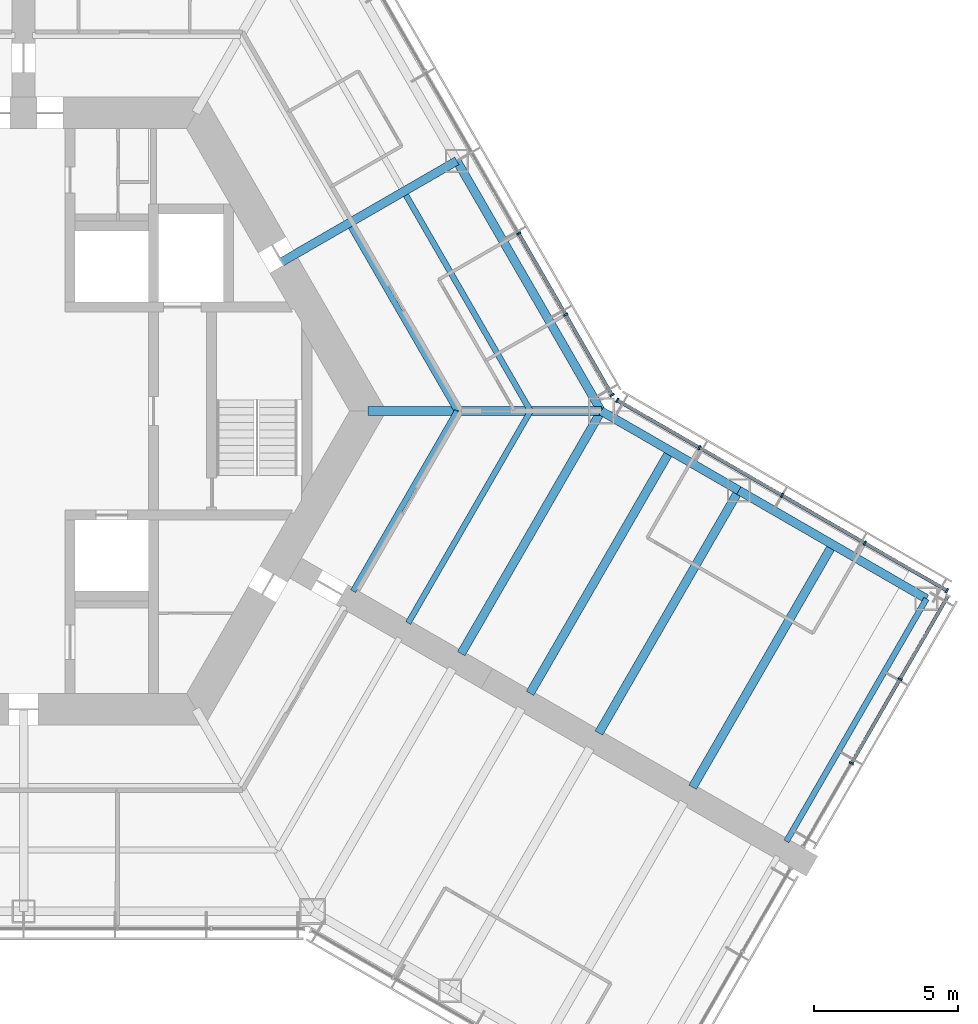
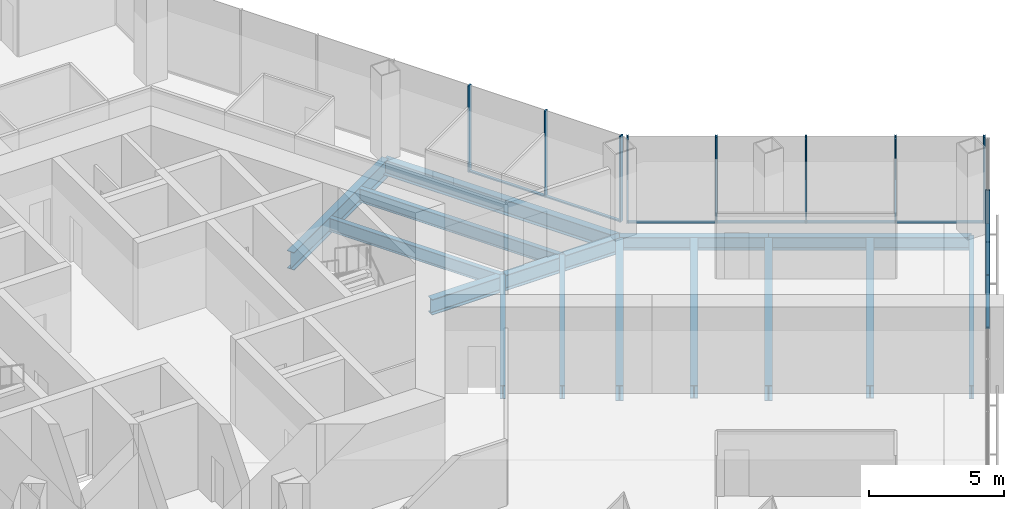
# One storey, part 6 of 18: 18 members, 14 beams, 3 elements without a shape of their own.
"""IFC4 building model written with IfcOpenShell, lengths in metres."""

from ifc_helpers import new_model, si_unit, direction, frame, origin, origin_2d, place, context, subcontext, project, spatial, rectangle, i_section, extrude, material, material_profile, profile_set, type_object, element, aggregate, save


model = new_model("IFC4")

# Units and contexts
model_context = context("Model", 3, precision=1e-05, world=origin(), true_north=direction((0.0, 1.0)))
body_context = subcontext(model_context, "Body", "Model", "MODEL_VIEW")
ifc_project = project(units=[si_unit("LENGTHUNIT", "METRE"), si_unit("AREAUNIT", "SQUARE_METRE"), si_unit("VOLUMEUNIT", "CUBIC_METRE"), si_unit("PLANEANGLEUNIT", "RADIAN"), si_unit("MASSUNIT", "GRAM", prefix="KILO")], contexts=[model_context])

# Site, building, storey
site_placement = place(None, origin())
site = spatial("IfcSite", under=ifc_project, at=site_placement, CompositionType="ELEMENT")
building_placement = place(site_placement, origin())
building = spatial("IfcBuilding", under=site, at=building_placement, Name="Kasaneha Research Tower", CompositionType="ELEMENT")
storey_placement = place(building_placement, frame((0.0, 0.0, 69.0)))
storey = spatial("IfcBuildingStorey", under=building, at=storey_placement, Name="L17", CompositionType="ELEMENT", Elevation=69.0)

# Beams
ifc_material_1 = material(Name="Steel SN490B", Category="steel")
ifc_material_profile_1 = material_profile(ifc_material_1, i_section(OverallWidth=0.199951171875, OverallDepth=0.60009765625, WebThickness=0.010986328125, FlangeThickness=0.01708984375, FilletRadius=0.012939453125, at=origin_2d()), Name="H-600x200x11x17")
ifc_profile_set_1 = profile_set([ifc_material_profile_1], Name="Steel SN490B")
beam_type_1 = type_object("IfcBeamType", Name="B1-3 secondary beam H-600x200x11x17", PredefinedType="JOIST", material=ifc_profile_set_1)
beam_1_placement = place(storey_placement, frame((15.010986328125, 0.0, -0.449951171875), z_axis=(-0.499994443168, 0.866028611999, 0.0), x_axis=(-0.866028611999, -0.499994443168, 0.0)))
element("IfcBeam", 1, at=beam_1_placement, inside=storey, type_object=beam_type_1, Name="Secondary beam RS030L1 L17", PredefinedType="JOIST", context=body_context, shape_type="SweptSolid", body=[
    extrude(i_section(OverallWidth=0.199951171875, OverallDepth=0.60009765625, WebThickness=0.010986328125, FlangeThickness=0.01708984375, FilletRadius=0.012939453125, at=origin_2d()), origin(), (0.0, 0.0, 1.0), 7.35546875),
])
beam_2_placement = place(storey_placement, frame((17.551513671875, 0.0, -0.449951171875), z_axis=(-0.5000050195, 0.866022505755, 0.0), x_axis=(-0.866022505755, -0.5000050195, 0.0)))
element("IfcBeam", 2, at=beam_2_placement, inside=storey, type_object=beam_type_1, Name="Secondary beam RS030L2 L17", PredefinedType="JOIST", context=body_context, shape_type="SweptSolid", body=[
    extrude(i_section(OverallWidth=0.199951171875, OverallDepth=0.60009765625, WebThickness=0.010986328125, FlangeThickness=0.01708984375, FilletRadius=0.012939453125, at=origin_2d()), origin(), (0.0, 0.0, 1.0), 8.6259765625),
])
beam_3_placement = place(storey_placement, frame((15.010986328125, 0.0, -0.449951171875), z_axis=(-0.499972735707, -0.866041144259, 0.0), x_axis=(0.866041144259, -0.499972735707, 0.0)))
element("IfcBeam", 3, at=beam_3_placement, inside=storey, type_object=beam_type_1, Name="Secondary beam RS330R1 L17", PredefinedType="JOIST", context=body_context, shape_type="SweptSolid", body=[
    extrude(i_section(OverallWidth=0.199951171875, OverallDepth=0.60009765625, WebThickness=0.010986328125, FlangeThickness=0.01708984375, FilletRadius=0.012939453125, at=origin_2d()), origin(), (0.0, 0.0, 1.0), 7.20556640625),
])
beam_4_placement = place(storey_placement, frame((17.551513671875, 0.0, -0.449951171875), z_axis=(-0.500020829043, -0.866013377797, 0.0), x_axis=(0.866013377797, -0.500020829043, 0.0)))
element("IfcBeam", 4, at=beam_4_placement, inside=storey, type_object=beam_type_1, Name="Secondary beam RS330R2 L17", PredefinedType="JOIST", context=body_context, shape_type="SweptSolid", body=[
    extrude(i_section(OverallWidth=0.199951171875, OverallDepth=0.60009765625, WebThickness=0.010986328125, FlangeThickness=0.01708984375, FilletRadius=0.012939453125, at=origin_2d()), origin(), (0.0, 0.0, 1.0), 8.475830078125),
])
ifc_material_2 = material(Name="Steel SN490B", Category="steel")
ifc_material_profile_2 = material_profile(ifc_material_2, i_section(OverallWidth=0.300048828125, OverallDepth=0.58203125, WebThickness=0.011962890625, FlangeThickness=0.01708984375, FilletRadius=0.012939453125, at=origin_2d()), Name="H-582x300x12x17")
ifc_profile_set_2 = profile_set([ifc_material_profile_2], Name="Steel SN490B")
beam_type_2 = type_object("IfcBeamType", Name="B2-3 secondary beam H-582x300x12x17", PredefinedType="JOIST", material=ifc_profile_set_2)
for number, where, z_axis, x_axis, name in (
    (5, (22.381591796875, -1.375, -0.44091796875), (-0.500010041276, -0.866019606374, 0.0), (0.866019606374, -0.500010041276, 0.0), "Secondary beam WBCN1 L17"),
    (6, (28.0107421875, -4.625, -0.44091796875), (-0.500010041276, -0.866019606374, 0.0), (0.866019606374, -0.500010041276, 0.0), "Secondary beam WBCN2 L17"),
):
    element("IfcBeam", number, at=place(storey_placement, frame(where, z_axis=z_axis, x_axis=x_axis)), inside=storey, type_object=beam_type_2, Name=name, PredefinedType="JOIST", context=body_context, shape_type="SweptSolid", body=[
        extrude(i_section(OverallWidth=0.300048828125, OverallDepth=0.58203125, WebThickness=0.011962890625, FlangeThickness=0.01708984375, FilletRadius=0.012939453125, at=origin_2d()), origin(), (0.0, 0.0, 1.0), 9.699951171875),
    ])

# Curtain wall, members
ifc_material_3 = material(Name="Glass and aluminium", Category="aluminium")
curtain_wall_type = type_object("IfcCurtainWallType", Name="Low-rise office curtain wall", PredefinedType="USERDEFINED", material=ifc_material_3)
curtain_wall_1_placement = place(storey_placement, origin())
curtain_wall_1 = element("IfcCurtainWall", 7, at=curtain_wall_1_placement, inside=storey, type_object=curtain_wall_type, Name="CW-O1 L17 run 05a", ObjectType="UNITISED CURTAIN WALL", PredefinedType="USERDEFINED")
ifc_material_4 = material(Name="Aluminium 6063-T6", Category="aluminium")
ifc_material_profile_3 = material_profile(ifc_material_4, rectangle(XDim=0.06005859375, YDim=0.159912109375, at=origin_2d()), Name="CW-O1 mullion 60x160")
ifc_profile_set_3 = profile_set([ifc_material_profile_3], Name="Aluminium 6063-T6")
member_type_1 = type_object("IfcMemberType", Name="CW-O1 mullion", PredefinedType="MULLION", material=ifc_profile_set_3)
member_1_placement = place(storey_placement, frame((28.661376953125, -12.1982421875, 0.0), z_axis=(0.0, 0.0, 1.0), x_axis=(0.500000011442, 0.866025397178, 0.0)))
member_1 = element("IfcMember", 8, at=member_1_placement, type_object=member_type_1, Name="CW-O1 mullion 2", PredefinedType="MULLION", context=body_context, shape_type="SweptSolid", body=[
    extrude(rectangle(XDim=0.06005859375, YDim=0.159912109375, at=origin_2d()), origin(), (0.0, 0.0, 1.0), 3.89990234375),
])
member_2_placement = place(storey_placement, frame((30.3447265625, -9.28271484375, 0.0), z_axis=(0.0, 0.0, 1.0), x_axis=(0.500000011442, 0.866025397178, 0.0)))
member_2 = element("IfcMember", 9, at=member_2_placement, type_object=member_type_1, Name="CW-O1 mullion 3", PredefinedType="MULLION", context=body_context, shape_type="SweptSolid", body=[
    extrude(rectangle(XDim=0.06005859375, YDim=0.159912109375, at=origin_2d()), origin(), (0.0, 0.0, 1.0), 3.89990234375),
])

curtain_wall_2_placement = place(storey_placement, origin())
curtain_wall_2 = element("IfcCurtainWall", 10, at=curtain_wall_2_placement, inside=storey, type_object=curtain_wall_type, Name="CW-O1 L17 run 06a", ObjectType="UNITISED CURTAIN WALL", PredefinedType="USERDEFINED")
member_3_placement = place(storey_placement, frame((31.96533203125, -6.21533203125, 0.0), z_axis=(0.0, 0.0, 1.0), x_axis=(-0.866025411464, 0.499999986699, 0.0)))
member_3 = element("IfcMember", 11, at=member_3_placement, type_object=member_type_1, Name="CW-O1 mullion 1", PredefinedType="MULLION", context=body_context, shape_type="SweptSolid", body=[
    extrude(rectangle(XDim=0.06005859375, YDim=0.159912109375, at=origin_2d()), origin(), (0.0, 0.0, 1.0), 3.89990234375),
])
member_4_placement = place(storey_placement, frame((29.125, -4.575439453125, 0.0), z_axis=(0.0, 0.0, 1.0), x_axis=(-0.866025411464, 0.499999986699, 0.0)))
member_4 = element("IfcMember", 12, at=member_4_placement, type_object=member_type_1, Name="CW-O1 mullion 2", PredefinedType="MULLION", context=body_context, shape_type="SweptSolid", body=[
    extrude(rectangle(XDim=0.06005859375, YDim=0.159912109375, at=origin_2d()), origin(), (0.0, 0.0, 1.0), 3.89990234375),
])
member_5_placement = place(storey_placement, frame((26.258544921875, -2.920654296875, 0.0), z_axis=(0.0, 0.0, 1.0), x_axis=(-0.866025411464, 0.499999986699, 0.0)))
member_5 = element("IfcMember", 13, at=member_5_placement, type_object=member_type_1, Name="CW-O1 mullion 3", PredefinedType="MULLION", context=body_context, shape_type="SweptSolid", body=[
    extrude(rectangle(XDim=0.06005859375, YDim=0.159912109375, at=origin_2d()), origin(), (0.0, 0.0, 1.0), 3.89990234375),
])
member_6_placement = place(storey_placement, frame((23.39208984375, -1.265625, 0.0), z_axis=(0.0, 0.0, 1.0), x_axis=(-0.866025411464, 0.499999986699, 0.0)))
member_6 = element("IfcMember", 14, at=member_6_placement, type_object=member_type_1, Name="CW-O1 mullion 4", PredefinedType="MULLION", context=body_context, shape_type="SweptSolid", body=[
    extrude(rectangle(XDim=0.06005859375, YDim=0.159912109375, at=origin_2d()), origin(), (0.0, 0.0, 1.0), 3.89990234375),
])
member_7_placement = place(storey_placement, frame((20.5517578125, 0.374267578125, 0.0), z_axis=(0.0, 0.0, 1.0), x_axis=(-0.866025411464, 0.499999986699, 0.0)))
member_7 = element("IfcMember", 15, at=member_7_placement, type_object=member_type_1, Name="CW-O1 mullion 5", PredefinedType="MULLION", context=body_context, shape_type="SweptSolid", body=[
    extrude(rectangle(XDim=0.06005859375, YDim=0.159912109375, at=origin_2d()), origin(), (0.0, 0.0, 1.0), 3.89990234375),
])

curtain_wall_3_placement = place(storey_placement, origin())
curtain_wall_3 = element("IfcCurtainWall", 16, at=curtain_wall_3_placement, inside=storey, type_object=curtain_wall_type, Name="CW-O1 L17 run 07a", ObjectType="UNITISED CURTAIN WALL", PredefinedType="USERDEFINED")
member_8_placement = place(storey_placement, frame((20.374267578125, 0.5517578125, 0.0), z_axis=(0.0, 0.0, 1.0), x_axis=(-0.49999996188, 0.866025425793, 0.0)))
member_8 = element("IfcMember", 17, at=member_8_placement, type_object=member_type_1, Name="CW-O1 mullion 1", PredefinedType="MULLION", context=body_context, shape_type="SweptSolid", body=[
    extrude(rectangle(XDim=0.06005859375, YDim=0.159912109375, at=origin_2d()), origin(), (0.0, 0.0, 1.0), 3.89990234375),
])
member_9_placement = place(storey_placement, frame((18.76611328125, 3.33740234375, 0.0), z_axis=(0.0, 0.0, 1.0), x_axis=(-0.49999996188, 0.866025425793, 0.0)))
member_9 = element("IfcMember", 18, at=member_9_placement, type_object=member_type_1, Name="CW-O1 mullion 2", PredefinedType="MULLION", context=body_context, shape_type="SweptSolid", body=[
    extrude(rectangle(XDim=0.06005859375, YDim=0.159912109375, at=origin_2d()), origin(), (0.0, 0.0, 1.0), 3.89990234375),
])
member_10_placement = place(storey_placement, frame((17.142822265625, 6.148681640625, 0.0), z_axis=(0.0, 0.0, 1.0), x_axis=(-0.49999996188, 0.866025425793, 0.0)))
member_10 = element("IfcMember", 19, at=member_10_placement, type_object=member_type_1, Name="CW-O1 mullion 3", PredefinedType="MULLION", context=body_context, shape_type="SweptSolid", body=[
    extrude(rectangle(XDim=0.06005859375, YDim=0.159912109375, at=origin_2d()), origin(), (0.0, 0.0, 1.0), 3.89990234375),
])

# Member
ifc_material_5 = material(Name="Aluminium 6063-T6", Category="aluminium")
ifc_material_profile_4 = material_profile(ifc_material_5, rectangle(XDim=0.1201171875, YDim=0.06005859375, at=origin_2d()), Name="CW-O1 transom 120x60")
ifc_profile_set_4 = profile_set([ifc_material_profile_4], Name="Aluminium 6063-T6")
member_type_2 = type_object("IfcMemberType", Name="CW-O1 transom", PredefinedType="USERDEFINED", material=ifc_profile_set_4)
member_11_placement = place(storey_placement, frame((28.67626953125, -12.17236328125, 0.030029296875), z_axis=(0.499982354831, 0.866035590988, 0.0), x_axis=(-0.866035590988, 0.499982354831, 0.0)))
member_11 = element("IfcMember", 20, at=member_11_placement, type_object=member_type_2, Name="CW-O1 transom 2", ObjectType="TRANSOM", PredefinedType="USERDEFINED", context=body_context, shape_type="SweptSolid", body=[
    extrude(rectangle(XDim=0.1201171875, YDim=0.06005859375, at=origin_2d()), origin(), (0.0, 0.0, 1.0), 3.306640625),
])

member_12_placement = place(storey_placement, frame((30.359619140625, -9.256591796875, 0.030029296875), z_axis=(0.500025583411, 0.866010632691, 0.0), x_axis=(-0.866010632691, 0.500025583411, 0.0)))
member_12 = element("IfcMember", 21, at=member_12_placement, type_object=member_type_2, Name="CW-O1 transom 3", ObjectType="TRANSOM", PredefinedType="USERDEFINED", context=body_context, shape_type="SweptSolid", body=[
    extrude(rectangle(XDim=0.1201171875, YDim=0.06005859375, at=origin_2d()), origin(), (0.0, 0.0, 1.0), 3.276611328125),
])

aggregate(curtain_wall_1, [member_1, member_2, member_11, member_12])

member_13_placement = place(storey_placement, frame((31.939453125, -6.200439453125, 0.030029296875), z_axis=(-0.866041647767, 0.499971863542, 0.0), x_axis=(-0.499971863542, -0.866041647767, 0.0)))
member_13 = element("IfcMember", 22, at=member_13_placement, type_object=member_type_2, Name="CW-O1 transom 1", ObjectType="TRANSOM", PredefinedType="USERDEFINED", context=body_context, shape_type="SweptSolid", body=[
    extrude(rectangle(XDim=0.1201171875, YDim=0.06005859375, at=origin_2d()), origin(), (0.0, 0.0, 1.0), 3.219970703125),
])

member_14_placement = place(storey_placement, frame((29.098876953125, -4.560546875, 0.030029296875), z_axis=(-0.86599666273, 0.500049777664, 0.0), x_axis=(-0.500049777664, -0.86599666273, 0.0)))
member_14 = element("IfcMember", 23, at=member_14_placement, type_object=member_type_2, Name="CW-O1 transom 2", ObjectType="TRANSOM", PredefinedType="USERDEFINED", context=body_context, shape_type="SweptSolid", body=[
    extrude(rectangle(XDim=0.1201171875, YDim=0.06005859375, at=origin_2d()), origin(), (0.0, 0.0, 1.0), 3.249755859375),
])

member_15_placement = place(storey_placement, frame((26.232666015625, -2.905517578125, 0.030029296875), z_axis=(-0.86604797581, 0.499960902066, 0.0), x_axis=(-0.499960902066, -0.86604797581, 0.0)))
member_15 = element("IfcMember", 24, at=member_15_placement, type_object=member_type_2, Name="CW-O1 transom 3", ObjectType="TRANSOM", PredefinedType="USERDEFINED", context=body_context, shape_type="SweptSolid", body=[
    extrude(rectangle(XDim=0.1201171875, YDim=0.06005859375, at=origin_2d()), origin(), (0.0, 0.0, 1.0), 3.249755859375),
])

member_16_placement = place(storey_placement, frame((23.3662109375, -1.250732421875, 0.030029296875), z_axis=(-0.866022692473, 0.500004696101, 0.0), x_axis=(-0.500004696101, -0.866022692473, 0.0)))
member_16 = element("IfcMember", 25, at=member_16_placement, type_object=member_type_2, Name="CW-O1 transom 4", ObjectType="TRANSOM", PredefinedType="USERDEFINED", context=body_context, shape_type="SweptSolid", body=[
    extrude(rectangle(XDim=0.1201171875, YDim=0.06005859375, at=origin_2d()), origin(), (0.0, 0.0, 1.0), 3.2197265625),
])

aggregate(curtain_wall_2, [member_3, member_4, member_5, member_6, member_7, member_13, member_14, member_15, member_16])

member_17_placement = place(storey_placement, frame((20.359130859375, 0.577880859375, 0.030029296875), z_axis=(-0.499999210213, 0.866025859768, 0.0), x_axis=(-0.866025859768, -0.499999210213, 0.0)))
member_17 = element("IfcMember", 26, at=member_17_placement, type_object=member_type_2, Name="CW-O1 transom 1", ObjectType="TRANSOM", PredefinedType="USERDEFINED", context=body_context, shape_type="SweptSolid", body=[
    extrude(rectangle(XDim=0.1201171875, YDim=0.06005859375, at=origin_2d()), origin(), (0.0, 0.0, 1.0), 3.15625),
])

member_18_placement = place(storey_placement, frame((18.7509765625, 3.36328125, 0.030029296875), z_axis=(-0.500012062035, 0.866018439653, 0.0), x_axis=(-0.866018439653, -0.500012062035, 0.0)))
member_18 = element("IfcMember", 27, at=member_18_placement, type_object=member_type_2, Name="CW-O1 transom 2", ObjectType="TRANSOM", PredefinedType="USERDEFINED", context=body_context, shape_type="SweptSolid", body=[
    extrude(rectangle(XDim=0.1201171875, YDim=0.06005859375, at=origin_2d()), origin(), (0.0, 0.0, 1.0), 3.1865234375),
])

aggregate(curtain_wall_3, [member_8, member_9, member_10, member_17, member_18])

# Beams
ifc_material_6 = material(Name="Steel SN490B", Category="steel")
ifc_material_profile_5 = material_profile(ifc_material_6, i_section(OverallWidth=0.300048828125, OverallDepth=0.699951171875, WebThickness=0.012939453125, FlangeThickness=0.02392578125, FilletRadius=0.01806640625, at=origin_2d()), Name="H-700x300x13x24")
ifc_profile_set_5 = profile_set([ifc_material_profile_5], Name="Steel SN490B")
beam_type_3 = type_object("IfcBeamType", Name="G1-3 radial girder H-700x300x13x24", PredefinedType="BEAM", material=ifc_profile_set_5)
beam_5_placement = place(storey_placement, frame((11.92236328125, 0.0, -0.5), z_axis=(1.0, 0.0, 0.0), x_axis=(0.0, 1.0, 0.0)))
element("IfcBeam", 28, at=beam_5_placement, inside=storey, type_object=beam_type_3, Name="Radial girder RV000 L17", PredefinedType="BEAM", context=body_context, shape_type="SweptSolid", body=[
    extrude(i_section(OverallWidth=0.300048828125, OverallDepth=0.699951171875, WebThickness=0.012939453125, FlangeThickness=0.02392578125, FilletRadius=0.01806640625, at=origin_2d()), origin(), (0.0, 0.0, 1.0), 8.07763671875),
])
ifc_material_7 = material(Name="Steel SN490B", Category="steel")
ifc_material_profile_6 = material_profile(ifc_material_7, i_section(OverallWidth=0.300048828125, OverallDepth=0.800048828125, WebThickness=0.013916015625, FlangeThickness=0.02587890625, FilletRadius=0.01806640625, at=origin_2d()), Name="H-800x300x14x26")
ifc_profile_set_6 = profile_set([ifc_material_profile_6], Name="Steel SN490B")
beam_type_4 = type_object("IfcBeamType", Name="G2-3 radial girder H-800x300x14x26", PredefinedType="BEAM", material=ifc_profile_set_6)
beam_6_placement = place(storey_placement, frame((8.941650390625, 5.16259765625, -0.550048828125), z_axis=(0.866039713508, 0.499975214012, 0.0), x_axis=(-0.499975214012, 0.866039713508, 0.0)))
element("IfcBeam", 29, at=beam_6_placement, inside=storey, type_object=beam_type_4, Name="Radial girder RM030 L17", PredefinedType="BEAM", context=body_context, shape_type="SweptSolid", body=[
    extrude(i_section(OverallWidth=0.300048828125, OverallDepth=0.800048828125, WebThickness=0.013916015625, FlangeThickness=0.02587890625, FilletRadius=0.01806640625, at=origin_2d()), origin(), (0.0, 0.0, 1.0), 6.995361328125),
])
ifc_material_8 = material(Name="Steel SN490B", Category="steel")
ifc_material_profile_7 = material_profile(ifc_material_8, i_section(OverallWidth=0.300048828125, OverallDepth=0.69189453125, WebThickness=0.012939453125, FlangeThickness=0.02001953125, FilletRadius=0.01806640625, at=origin_2d()), Name="H-692x300x13x20")
ifc_profile_set_7 = profile_set([ifc_material_profile_7], Name="Steel SN490B")
beam_type_5 = type_object("IfcBeamType", Name="G3-3 plate edge girder H-692x300x13x20", PredefinedType="BEAM", material=ifc_profile_set_7)
beam_7_placement = place(storey_placement, frame((20.0, 0.0, -0.49609375), z_axis=(-0.500010041276, -0.866019606374, 0.0), x_axis=(0.866019606374, -0.500010041276, 0.0)))
element("IfcBeam", 30, at=beam_7_placement, inside=storey, type_object=beam_type_5, Name="Plate edge girder PECN L17", PredefinedType="BEAM", context=body_context, shape_type="SweptSolid", body=[
    extrude(i_section(OverallWidth=0.300048828125, OverallDepth=0.69189453125, WebThickness=0.012939453125, FlangeThickness=0.02001953125, FilletRadius=0.01806640625, at=origin_2d()), origin(), (0.0, 0.0, 1.0), 9.699951171875),
])
ifc_material_9 = material(Name="Steel SN490B", Category="steel")
ifc_material_profile_8 = material_profile(ifc_material_9, i_section(OverallWidth=0.300048828125, OverallDepth=0.699951171875, WebThickness=0.012939453125, FlangeThickness=0.02392578125, FilletRadius=0.01806640625, at=origin_2d()), Name="H-700x300x13x24")
ifc_profile_set_8 = profile_set([ifc_material_profile_8], Name="Steel SN490B")
beam_type_6 = type_object("IfcBeamType", Name="G4-3 wing girder H-700x300x13x24", PredefinedType="BEAM", material=ifc_profile_set_8)
beam_8_placement = place(storey_placement, frame((24.76318359375, -2.75, -0.5), z_axis=(-0.500010041276, -0.866019606374, 0.0), x_axis=(0.866019606374, -0.500010041276, 0.0)))
element("IfcBeam", 31, at=beam_8_placement, inside=storey, type_object=beam_type_6, Name="Wing girder WGCN L17", PredefinedType="BEAM", context=body_context, shape_type="SweptSolid", body=[
    extrude(i_section(OverallWidth=0.300048828125, OverallDepth=0.699951171875, WebThickness=0.012939453125, FlangeThickness=0.02392578125, FilletRadius=0.01806640625, at=origin_2d()), origin(), (0.0, 0.0, 1.0), 9.699951171875),
])
ifc_material_10 = material(Name="Steel SN490B", Category="steel")
ifc_material_profile_9 = material_profile(ifc_material_10, i_section(OverallWidth=0.300048828125, OverallDepth=0.69189453125, WebThickness=0.012939453125, FlangeThickness=0.02001953125, FilletRadius=0.01806640625, at=origin_2d()), Name="H-692x300x13x20")
ifc_profile_set_9 = profile_set([ifc_material_profile_9], Name="Steel SN490B")
beam_type_7 = type_object("IfcBeamType", Name="SB1-3 spandrel beam H-692x300x13x20", PredefinedType="SPANDREL", material=ifc_profile_set_9)
beam_9_placement = place(storey_placement, frame((20.0, 0.0, -0.49609375), z_axis=(-0.500004234368, 0.866022959057, 0.0), x_axis=(-0.866022959057, -0.500004234368, 0.0)))
element("IfcBeam", 32, at=beam_9_placement, inside=storey, type_object=beam_type_7, Name="Spandrel beam SR030L L17", PredefinedType="SPANDREL", context=body_context, shape_type="SweptSolid", body=[
    extrude(i_section(OverallWidth=0.300048828125, OverallDepth=0.69189453125, WebThickness=0.012939453125, FlangeThickness=0.02001953125, FilletRadius=0.01806640625, at=origin_2d()), origin(), (0.0, 0.0, 1.0), 10.0),
])
ifc_material_11 = material(Name="Steel SN490B", Category="steel")
ifc_material_profile_10 = material_profile(ifc_material_11, i_section(OverallWidth=0.300048828125, OverallDepth=0.58203125, WebThickness=0.011962890625, FlangeThickness=0.01708984375, FilletRadius=0.012939453125, at=origin_2d()), Name="H-582x300x12x17")
ifc_profile_set_10 = profile_set([ifc_material_profile_10], Name="Steel SN490B")
beam_type_8 = type_object("IfcBeamType", Name="SB2-3 spandrel beam H-582x300x12x17", PredefinedType="SPANDREL", material=ifc_profile_set_10)
beam_10_placement = place(storey_placement, frame((20.0, 0.0, -0.44091796875), z_axis=(0.866027397988, -0.499996545922, 0.0), x_axis=(0.499996545922, 0.866027397988, 0.0)))
element("IfcBeam", 33, at=beam_10_placement, inside=storey, type_object=beam_type_8, Name="Spandrel beam WSCN1 L17", PredefinedType="SPANDREL", context=body_context, shape_type="SweptSolid", body=[
    extrude(i_section(OverallWidth=0.300048828125, OverallDepth=0.58203125, WebThickness=0.011962890625, FlangeThickness=0.01708984375, FilletRadius=0.012939453125, at=origin_2d()), origin(), (0.0, 0.0, 1.0), 5.5),
])
beam_11_placement = place(storey_placement, frame((24.76318359375, -2.75, -0.44091796875), z_axis=(0.866022959057, -0.500004234368, 0.0), x_axis=(0.500004234368, 0.866022959057, 0.0)))
element("IfcBeam", 34, at=beam_11_placement, inside=storey, type_object=beam_type_8, Name="Spandrel beam WSCN2 L17", PredefinedType="SPANDREL", context=body_context, shape_type="SweptSolid", body=[
    extrude(i_section(OverallWidth=0.300048828125, OverallDepth=0.58203125, WebThickness=0.011962890625, FlangeThickness=0.01708984375, FilletRadius=0.012939453125, at=origin_2d()), origin(), (0.0, 0.0, 1.0), 7.5),
])
ifc_material_12 = material(Name="Steel SN490B", Category="steel")
ifc_material_profile_11 = material_profile(ifc_material_12, i_section(OverallWidth=0.199951171875, OverallDepth=0.60009765625, WebThickness=0.010986328125, FlangeThickness=0.01708984375, FilletRadius=0.012939453125, at=origin_2d()), Name="H-600x200x11x17")
ifc_profile_set_11 = profile_set([ifc_material_profile_11], Name="Steel SN490B")
beam_type_9 = type_object("IfcBeamType", Name="SB3-3 spandrel beam H-600x200x11x17", PredefinedType="SPANDREL", material=ifc_profile_set_11)
beam_12_placement = place(storey_placement, frame((31.25830078125, -6.5, -0.449951171875), z_axis=(-0.499991164321, -0.866030505006, 0.0), x_axis=(0.866030505006, -0.499991164321, 0.0)))
element("IfcBeam", 35, at=beam_12_placement, inside=storey, type_object=beam_type_9, Name="Spandrel beam WTCN L17", PredefinedType="SPANDREL", context=body_context, shape_type="SweptSolid", body=[
    extrude(i_section(OverallWidth=0.199951171875, OverallDepth=0.60009765625, WebThickness=0.010986328125, FlangeThickness=0.01708984375, FilletRadius=0.012939453125, at=origin_2d()), origin(), (0.0, 0.0, 1.0), 9.699951171875),
])

save(model, "model.ifc")
